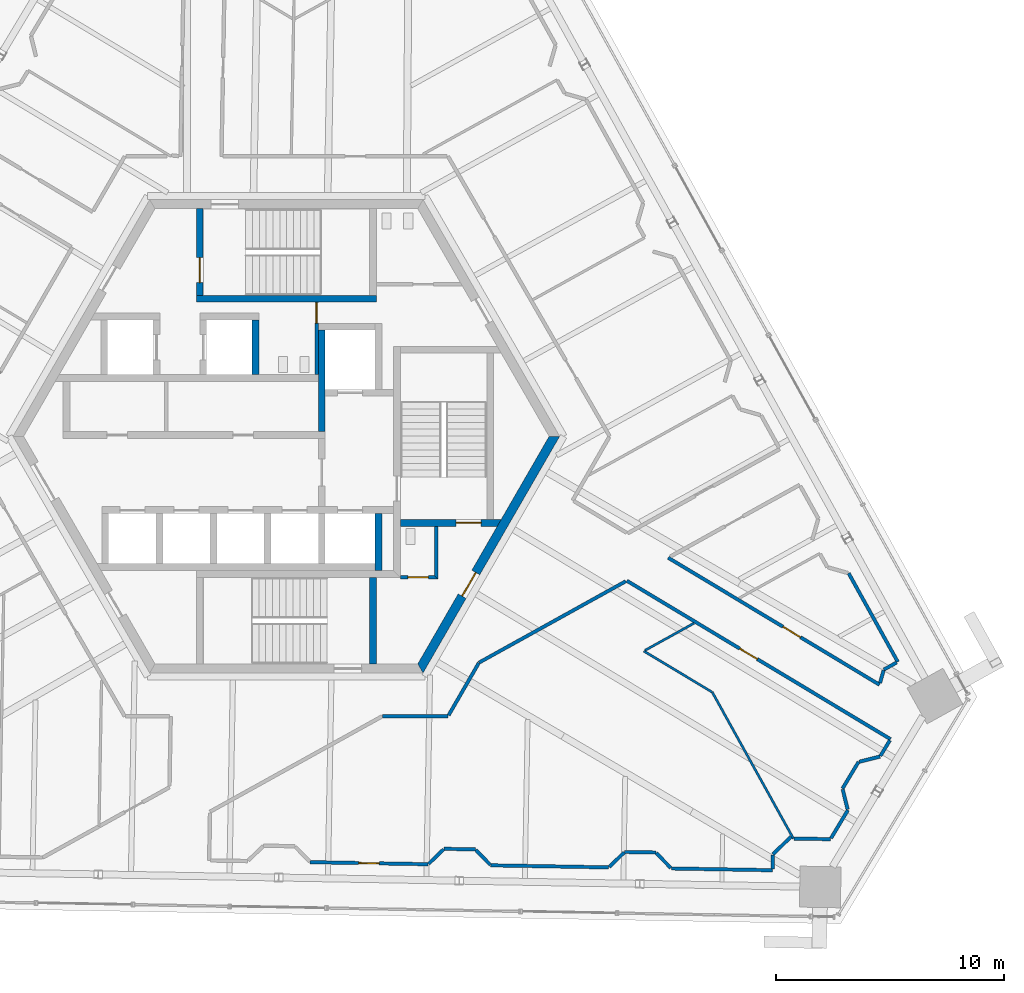
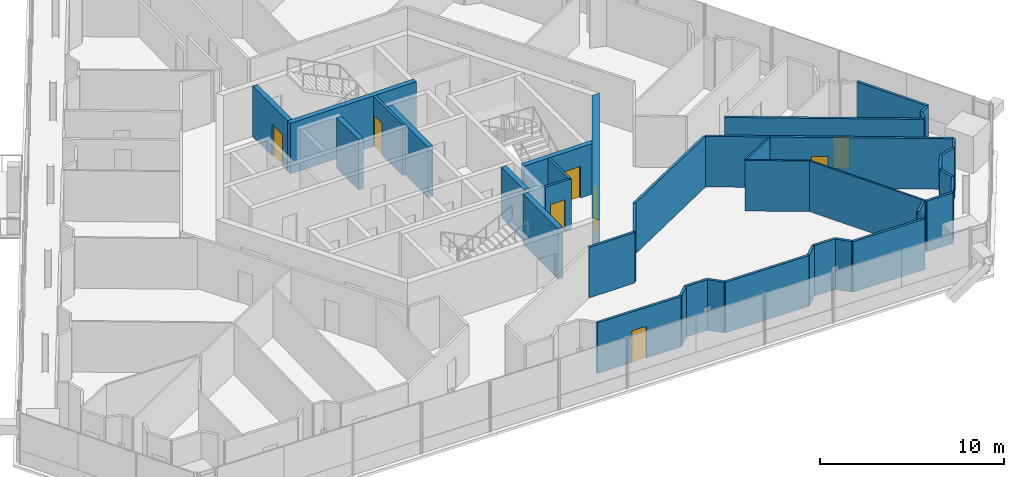
# One storey, part 17 of 24: 39 walls, 8 doors, 8 openings.
"""IFC4 building model written with IfcOpenShell, lengths in metres."""

from ifc_helpers import new_model, si_unit, direction, frame, frame_2d, origin, place, context, subcontext, project, spatial, polyline, rectangle, outline, extrude, source, transform, mapped, material, layer, layer_set, type_object, element, fill, save


model = new_model("IFC4")

# Units and contexts
model_context = context("Model", 3, precision=1e-05, world=origin(), true_north=direction((0.0, 1.0)))
body_context = subcontext(model_context, "Body", "Model", "MODEL_VIEW")
ifc_project = project(units=[si_unit("LENGTHUNIT", "METRE"), si_unit("AREAUNIT", "SQUARE_METRE"), si_unit("VOLUMEUNIT", "CUBIC_METRE"), si_unit("PLANEANGLEUNIT", "RADIAN"), si_unit("MASSUNIT", "GRAM", prefix="KILO")], contexts=[model_context])

# Site, building, storey
site_placement = place(None, origin())
site = spatial("IfcSite", under=ifc_project, at=site_placement, CompositionType="ELEMENT")
building_placement = place(site_placement, origin())
building = spatial("IfcBuilding", under=site, at=building_placement, Name="Triune Harvest Tower", CompositionType="ELEMENT")
storey_placement = place(building_placement, frame((0.0, 0.0, 212.300048828125)))
storey = spatial("IfcBuildingStorey", under=building, at=storey_placement, Name="L55", CompositionType="ELEMENT", Elevation=212.300048828125)

# Wall, opening, door
ifc_material_1 = material(Name="Gypsum board on steel studs", Category="steel")
ifc_layer_1 = layer(ifc_material_1, 0.14990234375)
ifc_layer_set_1 = layer_set([ifc_layer_1], Name="Gypsum board on steel studs")
wall_type_1 = type_object("IfcWallType", Name="Fire Partition 150 mm", PredefinedType="PARTITIONING", material=ifc_layer_set_1)
wall_1_placement = place(storey_placement, frame((14.9462890625, -6.33984375, 0.0), z_axis=(0.0, 0.0, 1.0), x_axis=(0.857167432982, -0.51503785476, 0.0)))
wall_1 = element("IfcWall", 1, at=wall_1_placement, inside=storey, type_object=wall_type_1, Name="Partition L55 040", PredefinedType="PARTITIONING", context=body_context, shape_type="SweptSolid", body=[
    extrude(rectangle(XDim=13.50830078125, YDim=0.14990234375, at=frame_2d((6.754150390625, 0.0))), origin(), (0.0, 0.0, 1.0), 3.349853515625),
])
opening_1_placement = place(wall_1_placement, frame((5.78759765625, 0.0, 0.0)))
opening_1 = element("IfcOpeningElement", 2, at=opening_1_placement, cuts=wall_1, Name="Opening L55-026", PredefinedType="OPENING", context=body_context, shape_type="SweptSolid", body=[
    extrude(rectangle(XDim=0.89990234375, YDim=2.10009765625, at=frame_2d((0.449951171875, 1.050048828125))), frame((0.0, 0.0849609375, 0.0), z_axis=(0.0, -1.0, 0.0), x_axis=(1.0, 0.0, 0.0)), (0.0, 0.0, 1.0), 0.169921875),
])
ifc_material_2 = material(Name="Timber and steel door set", Category="steel")
door_type_1 = type_object("IfcDoorType", Name="Single leaf door FD30 right hand 900 x 2100", OperationType="SINGLE_SWING_RIGHT", PredefinedType="DOOR", material=ifc_material_2)
door_1_placement = place(opening_1_placement, origin())
door_1 = element("IfcDoor", 3, at=door_1_placement, inside=storey, type_object=door_type_1, Name="Door L55-026 Pantry 55.26", OperationType="SINGLE_SWING_RIGHT", OverallHeight=2.10009765625, OverallWidth=0.89990234375, PredefinedType="DOOR", context=body_context, shape_type="SweptSolid", body=[
    extrude(rectangle(XDim=0.89990234375, YDim=2.10009765625, at=frame_2d((0.449951171875, 1.050048828125))), frame((0.0, 0.02490234375, 0.0), z_axis=(0.0, -1.0, 0.0), x_axis=(1.0, 0.0, 0.0)), (0.0, 0.0, 1.0), 0.050048828125),
])
fill(opening_1, door_1)

wall_2_placement = place(storey_placement, frame((16.763916015625, -5.33203125, 0.0), z_axis=(0.0, 0.0, 1.0), x_axis=(0.857158364439, -0.515052947057, 0.0)))
wall_2 = element("IfcWall", 4, at=wall_2_placement, inside=storey, type_object=wall_type_1, Name="Partition L55 043", PredefinedType="PARTITIONING", context=body_context, shape_type="SweptSolid", body=[
    extrude(rectangle(XDim=10.822998046875, YDim=0.14990234375, at=frame_2d((5.41162109375, 0.0))), origin(), (0.0, 0.0, 1.0), 3.349853515625),
])
opening_2_placement = place(wall_2_placement, frame((5.879638671875, 0.0, 0.0)))
opening_2 = element("IfcOpeningElement", 5, at=opening_2_placement, cuts=wall_2, Name="Opening L55-001", PredefinedType="OPENING", context=body_context, shape_type="SweptSolid", body=[
    extrude(rectangle(XDim=0.89990234375, YDim=2.10009765625, at=frame_2d((0.449951171875, 1.050048828125))), frame((0.0, 0.0849609375, 0.0), z_axis=(0.0, -1.0, 0.0), x_axis=(1.0, 0.0, 0.0)), (0.0, 0.0, 1.0), 0.169921875),
])
door_2_placement = place(opening_2_placement, origin())
door_2 = element("IfcDoor", 6, at=door_2_placement, inside=storey, type_object=door_type_1, Name="Door L55-001 Office 55.01", OperationType="SINGLE_SWING_RIGHT", OverallHeight=2.10009765625, OverallWidth=0.89990234375, PredefinedType="DOOR", context=body_context, shape_type="SweptSolid", body=[
    extrude(rectangle(XDim=0.89990234375, YDim=2.10009765625, at=frame_2d((0.449951171875, 1.050048828125))), frame((0.0, 0.02490234375, 0.0), z_axis=(0.0, -1.0, 0.0), x_axis=(1.0, 0.0, 0.0)), (0.0, 0.0, 1.0), 0.050048828125),
])
fill(opening_2, door_2)

# Walls
wall_3_placement = place(storey_placement, frame((22.281982421875, -17.66064453125, 0.0), z_axis=(0.0, 0.0, 1.0), x_axis=(0.999846983336, -0.017493139066, 0.0)))
element("IfcWall", 7, at=wall_3_placement, inside=storey, type_object=wall_type_1, Name="Partition L55 066", PredefinedType="PARTITIONING", context=body_context, shape_type="SweptSolid", body=[
    extrude(rectangle(XDim=1.60498046875, YDim=0.14990234375, at=frame_2d((0.802490234375, 0.0))), origin(), (0.0, 0.0, 1.0), 3.349853515625),
])
wall_4_placement = place(storey_placement, frame((4.227294921875, -12.292236328125, 0.0), z_axis=(0.0, 0.0, 1.0), x_axis=(1.0, 0.0, 0.0)))
element("IfcWall", 8, at=wall_4_placement, inside=storey, type_object=wall_type_1, Name="Partition L55 072", PredefinedType="PARTITIONING", context=body_context, shape_type="SweptSolid", body=[
    extrude(rectangle(XDim=2.86962890625, YDim=0.14990234375, at=frame_2d((1.434814453125, 0.0))), origin(), (0.0, 0.0, 1.0), 3.349853515625),
])
wall_5_placement = place(storey_placement, frame((26.231201171875, -10.243896484375, 0.0), z_axis=(0.0, 0.0, 1.0), x_axis=(0.874659729009, 0.484737411854, 0.0)))
element("IfcWall", 9, at=wall_5_placement, inside=storey, type_object=wall_type_1, Name="Partition L55 081", PredefinedType="PARTITIONING", context=body_context, shape_type="SweptSolid", body=[
    extrude(rectangle(XDim=0.64111328125, YDim=0.14990234375, at=frame_2d((0.320556640625, 0.0))), origin(), (0.0, 0.0, 1.0), 3.349853515625),
])
wall_6_placement = place(storey_placement, frame((8.456787109375, -9.936767578125, 0.0), z_axis=(0.0, 0.0, 1.0), x_axis=(0.874617847029, 0.484812975959, 0.0)))
element("IfcWall", 10, at=wall_6_placement, inside=storey, type_object=wall_type_1, Name="Partition L55 085", PredefinedType="PARTITIONING", context=body_context, shape_type="SweptSolid", body=[
    extrude(rectangle(XDim=7.369873046875, YDim=0.14990234375, at=frame_2d((3.68505859375, 0.0))), origin(), (0.0, 0.0, 1.0), 3.349853515625),
])
wall_7_placement = place(storey_placement, frame((21.359619140625, -18.351318359375, 0.0), z_axis=(0.0, 0.0, 1.0), x_axis=(0.71939389991, 0.694602344347, 0.0)))
element("IfcWall", 11, at=wall_7_placement, inside=storey, type_object=wall_type_1, Name="Partition L55 096", PredefinedType="PARTITIONING", context=body_context, shape_type="SweptSolid", body=[
    extrude(rectangle(XDim=1.11279296875, YDim=0.14990234375, at=frame_2d((0.556396484375, 0.0))), origin(), (0.0, 0.0, 1.0), 3.349853515625),
])
wall_8_placement = place(storey_placement, frame((23.91162109375, -17.64697265625, 0.0), z_axis=(0.0, 0.0, 1.0), x_axis=(0.514970243734, 0.857208054132, 0.0)))
element("IfcWall", 12, at=wall_8_placement, inside=storey, type_object=wall_type_1, Name="Partition L55 102", PredefinedType="PARTITIONING", context=body_context, shape_type="SweptSolid", body=[
    extrude(rectangle(XDim=1.4375, YDim=0.14990234375, at=frame_2d((0.71875, 0.0))), origin(), (0.0, 0.0, 1.0), 3.349853515625),
])
wall_9_placement = place(storey_placement, frame((24.41650390625, -15.469482421875, 0.0), z_axis=(0.0, 0.0, 1.0), x_axis=(0.514993921206, 0.857193829376, 0.0)))
element("IfcWall", 13, at=wall_9_placement, inside=storey, type_object=wall_type_1, Name="Partition L55 104", PredefinedType="PARTITIONING", context=body_context, shape_type="SweptSolid", body=[
    extrude(rectangle(XDim=1.369140625, YDim=0.14990234375, at=frame_2d((0.6845703125, 0.0))), origin(), (0.0, 0.0, 1.0), 3.349853515625),
])
wall_10_placement = place(storey_placement, frame((7.122314453125, -12.2490234375, 0.0), z_axis=(0.0, 0.0, 1.0), x_axis=(0.499924502886, 0.866068987676, 0.0)))
element("IfcWall", 14, at=wall_10_placement, inside=storey, type_object=wall_type_1, Name="Partition L55 121", PredefinedType="PARTITIONING", context=body_context, shape_type="SweptSolid", body=[
    extrude(rectangle(XDim=2.64990234375, YDim=0.14990234375, at=frame_2d((1.324951171875, 0.0))), origin(), (0.0, 0.0, 1.0), 3.349853515625),
])
wall_11_placement = place(storey_placement, frame((26.063232421875, -10.829345703125, 0.0), z_axis=(0.0, 0.0, 1.0), x_axis=(0.275723261576, 0.961237058704, 0.0)))
element("IfcWall", 15, at=wall_11_placement, inside=storey, type_object=wall_type_1, Name="Partition L55 125", PredefinedType="PARTITIONING", context=body_context, shape_type="SweptSolid", body=[
    extrude(rectangle(XDim=0.5791015625, YDim=0.14990234375, at=frame_2d((0.28955078125, 0.0))), origin(), (0.0, 0.0, 1.0), 3.349853515625),
])
wall_12_placement = place(storey_placement, frame((21.348388671875, -18.99267578125, 0.0), z_axis=(0.0, 0.0, 1.0), x_axis=(0.017569172767, 0.999845650172, 0.0)))
element("IfcWall", 16, at=wall_12_placement, inside=storey, type_object=wall_type_1, Name="Partition L55 132", PredefinedType="PARTITIONING", context=body_context, shape_type="SweptSolid", body=[
    extrude(rectangle(XDim=0.611328125, YDim=0.14990234375, at=frame_2d((0.3056640625, 0.0))), origin(), (0.0, 0.0, 1.0), 3.349853515625),
])
ifc_material_3 = material(Name="Gypsum board on steel studs", Category="steel")
ifc_layer_2 = layer(ifc_material_3, 0.10009765625)
ifc_layer_set_2 = layer_set([ifc_layer_2], Name="Gypsum board on steel studs")
wall_type_2 = type_object("IfcWallType", Name="Partition 100 mm", PredefinedType="PARTITIONING", material=ifc_layer_set_2)
wall_13_placement = place(storey_placement, frame((18.7001953125, -11.236572265625, 0.0), z_axis=(0.0, 0.0, 1.0), x_axis=(0.484804611814, -0.87462248334, 0.0)))
element("IfcWall", 17, at=wall_13_placement, inside=storey, type_object=wall_type_2, Name="Partition L55 012", PredefinedType="PARTITIONING", context=body_context, shape_type="SweptSolid", body=[
    extrude(rectangle(XDim=7.345703125, YDim=0.10009765625, at=frame_2d((3.6728515625, 0.0))), origin(), (0.0, 0.0, 1.0), 3.349853515625),
])
wall_14_placement = place(storey_placement, frame((15.6923828125, -9.428955078125, 0.0), z_axis=(0.0, 0.0, 1.0), x_axis=(0.857154138578, -0.51505997973, 0.0)))
element("IfcWall", 18, at=wall_14_placement, inside=storey, type_object=wall_type_2, Name="Partition L55 038", PredefinedType="PARTITIONING", context=body_context, shape_type="SweptSolid", body=[
    extrude(rectangle(XDim=3.4990234375, YDim=0.10009765625, at=frame_2d((1.74951171875, 0.0))), origin(), (0.0, 0.0, 1.0), 3.349853515625),
])
wall_15_placement = place(storey_placement, frame((15.753662109375, -9.39501953125, 0.0), z_axis=(0.0, 0.0, 1.0), x_axis=(0.874593403118, 0.484857070921, 0.0)))
element("IfcWall", 19, at=wall_15_placement, inside=storey, type_object=wall_type_2, Name="Partition L55 082", PredefinedType="PARTITIONING", context=body_context, shape_type="SweptSolid", body=[
    extrude(rectangle(XDim=2.45361328125, YDim=0.10009765625, at=frame_2d((1.226806640625, 0.0))), origin(), (0.0, 0.0, 1.0), 3.349853515625),
])

# Wall, opening, door
ifc_material_4 = material(Name="Concrete 70 MPa", Category="concrete")
ifc_layer_3 = layer(ifc_material_4, 0.39990234375)
ifc_layer_set_3 = layer_set([ifc_layer_3], Name="Concrete 70 MPa")
wall_type_3 = type_object("IfcWallType", Name="Core wall 400", PredefinedType="SHEAR", material=ifc_layer_set_3)
shared_shape_1 = source(origin(), body_context, "Body", "SweptSolid", [
    extrude(outline(polyline([(-0.115478515625, -0.199951171875), (11.884521484375, -0.199951171875), (11.653564453125, 0.199951171875), (0.115478515625, 0.199951171875), (-0.115478515625, -0.199951171875)])), origin(), (0.0, 0.0, 1.0), 3.349853515625),
])
wall_16_placement = place(storey_placement, frame((5.884521484375, -10.1923828125, 0.0), z_axis=(0.0, 0.0, 1.0), x_axis=(0.499996592174, 0.866027371285, 0.0)))
wall_16 = element("IfcWall", 20, at=wall_16_placement, inside=storey, type_object=wall_type_3, Name="Hexagon 5 wall", PredefinedType="SHEAR", context=body_context, shape_type="MappedRepresentation", body=[
    mapped(shared_shape_1, transform((0.0, 0.0, 0.0), scale=1.0)),
])
opening_3_placement = place(wall_16_placement, frame((3.66455078125, 0.0, 0.0)))
opening_3 = element("IfcOpeningElement", 21, at=opening_3_placement, cuts=wall_16, Name="Opening CD-DP", PredefinedType="OPENING", context=body_context, shape_type="SweptSolid", body=[
    extrude(rectangle(XDim=1.199951171875, YDim=2.10009765625, at=frame_2d((0.60009765625, 1.050048828125))), frame((0.0, 0.2099609375, 0.0), z_axis=(0.0, -1.0, 0.0), x_axis=(1.0, 0.0, 0.0)), (0.0, 0.0, 1.0), 0.419921875),
])
ifc_material_5 = material(Name="Steel S235", Category="steel")
door_type_2 = type_object("IfcDoorType", Name="Stair door 1200 FD120", OperationType="SINGLE_SWING_LEFT", PredefinedType="DOOR", material=ifc_material_5)
door_3_placement = place(opening_3_placement, frame((1.199951171875, 0.0, 0.0), z_axis=(0.0, 0.0, 1.0), x_axis=(-1.0, 0.0, 0.0)))
door_3 = element("IfcDoor", 22, at=door_3_placement, inside=storey, type_object=door_type_2, Name="Door CD-DP", OperationType="SINGLE_SWING_RIGHT", OverallHeight=2.10009765625, OverallWidth=1.199951171875, PredefinedType="DOOR", context=body_context, shape_type="SweptSolid", body=[
    extrude(rectangle(XDim=1.199951171875, YDim=2.10009765625, at=frame_2d((0.60009765625, 1.050048828125))), frame((0.0, 0.02490234375, 0.0), z_axis=(0.0, -1.0, 0.0), x_axis=(1.0, 0.0, 0.0)), (0.0, 0.0, 1.0), 0.050048828125),
])
fill(opening_3, door_3)

# Walls
ifc_material_6 = material(Name="Concrete 70 MPa", Category="concrete")
ifc_layer_4 = layer(ifc_material_6, 0.300048828125)
ifc_layer_set_4 = layer_set([ifc_layer_4], Name="Concrete 70 MPa")
wall_type_4 = type_object("IfcWallType", Name="Core wall 300", PredefinedType="SHEAR", material=ifc_layer_set_4)
shared_shape_2 = source(origin(), body_context, "Body", "SweptSolid", [
    extrude(rectangle(XDim=2.5, YDim=0.300048828125, at=frame_2d((1.25, 0.0))), origin(), (0.0, 0.0, 1.0), 3.349853515625),
])
wall_17_placement = place(storey_placement, frame((4.050048828125, -5.889892578125, 0.0), z_axis=(0.0, 0.0, 1.0), x_axis=(0.0, 1.0, 0.0)))
element("IfcWall", 23, at=wall_17_placement, inside=storey, type_object=wall_type_4, Name="Ff2 east wall", PredefinedType="SHEAR", context=body_context, shape_type="MappedRepresentation", body=[
    mapped(shared_shape_2, transform((0.0, 0.0, 0.0), scale=1.0)),
])
shared_shape_3 = source(origin(), body_context, "Body", "SweptSolid", [
    extrude(rectangle(XDim=4.449951171875, YDim=0.300048828125, at=frame_2d((2.22509765625, 0.0))), origin(), (0.0, 0.0, 1.0), 3.349853515625),
])
wall_18_placement = place(storey_placement, frame((1.550048828125, 0.2099609375, 0.0), z_axis=(0.0, 0.0, 1.0), x_axis=(0.0, 1.0, 0.0)))
element("IfcWall", 24, at=wall_18_placement, inside=storey, type_object=wall_type_4, Name="Ff1 west wall", PredefinedType="SHEAR", context=body_context, shape_type="MappedRepresentation", body=[
    mapped(shared_shape_3, transform((0.0, 0.0, 0.0), scale=1.0)),
])

# Wall, opening, door
shared_shape_4 = source(origin(), body_context, "Body", "SweptSolid", [
    extrude(outline(polyline([(0.0, -0.14990234375), (0.0, 0.14990234375), (4.43310546875, 0.14990234375), (4.260009765625, -0.14990234375), (0.0, -0.14990234375)])), origin(), (0.0, 0.0, 1.0), 3.349853515625),
])
wall_19_placement = place(storey_placement, frame((5.0, -3.800048828125, 0.0), z_axis=(0.0, 0.0, 1.0), x_axis=(1.0, 0.0, 0.0)))
wall_19 = element("IfcWall", 25, at=wall_19_placement, inside=storey, type_object=wall_type_4, Name="Stair e south wall", PredefinedType="SHEAR", context=body_context, shape_type="MappedRepresentation", body=[
    mapped(shared_shape_4, transform((0.0, 0.0, 0.0), scale=1.0)),
])
opening_4_placement = place(wall_19_placement, frame((2.449951171875, 0.0, 0.0)))
opening_4 = element("IfcOpeningElement", 26, at=opening_4_placement, cuts=wall_19, Name="Opening CD-S3D", PredefinedType="OPENING", context=body_context, shape_type="SweptSolid", body=[
    extrude(rectangle(XDim=1.10009765625, YDim=2.10009765625, at=frame_2d((0.550048828125, 1.050048828125))), frame((0.0, 0.16015625, 0.0), z_axis=(0.0, -1.0, 0.0), x_axis=(1.0, 0.0, 0.0)), (0.0, 0.0, 1.0), 0.320068359375),
])
ifc_material_7 = material(Name="Steel S235", Category="steel")
door_type_3 = type_object("IfcDoorType", Name="Stair door 1100 FD120", OperationType="SINGLE_SWING_LEFT", PredefinedType="DOOR", material=ifc_material_7)
door_4_placement = place(opening_4_placement, frame((1.10009765625, 0.0, 0.0), z_axis=(0.0, 0.0, 1.0), x_axis=(-1.0, 0.0, 0.0)))
door_4 = element("IfcDoor", 27, at=door_4_placement, inside=storey, type_object=door_type_3, Name="Door CD-S3D", OperationType="SINGLE_SWING_RIGHT", OverallHeight=2.10009765625, OverallWidth=1.10009765625, PredefinedType="DOOR", context=body_context, shape_type="SweptSolid", body=[
    extrude(rectangle(XDim=1.10009765625, YDim=2.10009765625, at=frame_2d((0.550048828125, 1.050048828125))), frame((0.0, 0.02490234375, 0.0), z_axis=(0.0, -1.0, 0.0), x_axis=(1.0, 0.0, 0.0)), (0.0, 0.0, 1.0), 0.050048828125),
])
fill(opening_4, door_4)

# Wall
shared_shape_5 = source(origin(), body_context, "Body", "SweptSolid", [
    extrude(rectangle(XDim=7.89990234375, YDim=0.300048828125, at=frame_2d((3.949951171875, 0.0))), origin(), (0.0, 0.0, 1.0), 3.349853515625),
])
wall_20_placement = place(storey_placement, frame((-3.949951171875, 6.0400390625, 0.0), z_axis=(0.0, 0.0, 1.0), x_axis=(1.0, 0.0, 0.0)))
element("IfcWall", 28, at=wall_20_placement, inside=storey, type_object=wall_type_4, Name="Stair n south wall", PredefinedType="SHEAR", context=body_context, shape_type="MappedRepresentation", body=[
    mapped(shared_shape_5, transform((0.0, 0.0, 0.0), scale=1.0)),
])

# Wall, opening, door
shared_shape_6 = source(origin(), body_context, "Body", "SweptSolid", [
    extrude(outline(polyline([(0.0, -0.14990234375), (0.0, 0.14990234375), (3.80419921875, 0.14990234375), (3.80419921875, -0.14990234375), (0.0, -0.14990234375)])), origin(), (0.0, 0.0, 1.0), 3.349853515625),
])
wall_21_placement = place(storey_placement, frame((-3.800048828125, 6.18994140625, 0.0), z_axis=(0.0, 0.0, 1.0), x_axis=(0.0, 1.0, 0.0)))
wall_21 = element("IfcWall", 29, at=wall_21_placement, inside=storey, type_object=wall_type_4, Name="Stair n west wall", PredefinedType="SHEAR", context=body_context, shape_type="MappedRepresentation", body=[
    mapped(shared_shape_6, transform((0.0, 0.0, 0.0), scale=1.0)),
])
opening_5_placement = place(wall_21_placement, frame((0.56005859375, 0.0, 0.0)))
opening_5 = element("IfcOpeningElement", 30, at=opening_5_placement, cuts=wall_21, Name="Opening CD-S1L", PredefinedType="OPENING", context=body_context, shape_type="SweptSolid", body=[
    extrude(rectangle(XDim=1.10009765625, YDim=2.10009765625, at=frame_2d((0.550048828125, 1.050048828125))), frame((0.0, 0.16015625, 0.0), z_axis=(0.0, -1.0, 0.0), x_axis=(1.0, 0.0, 0.0)), (0.0, 0.0, 1.0), 0.320068359375),
])
door_5_placement = place(opening_5_placement, frame((1.10009765625, 0.0, 0.0), z_axis=(0.0, 0.0, 1.0), x_axis=(-1.0, 0.0, 0.0)))
door_5 = element("IfcDoor", 31, at=door_5_placement, inside=storey, type_object=door_type_3, Name="Door CD-S1L", OperationType="SINGLE_SWING_RIGHT", OverallHeight=2.10009765625, OverallWidth=1.10009765625, PredefinedType="DOOR", context=body_context, shape_type="SweptSolid", body=[
    extrude(rectangle(XDim=1.10009765625, YDim=2.10009765625, at=frame_2d((0.550048828125, 1.050048828125))), frame((0.0, 0.02490234375, 0.0), z_axis=(0.0, -1.0, 0.0), x_axis=(1.0, 0.0, 0.0)), (0.0, 0.0, 1.0), 0.050048828125),
])
fill(opening_5, door_5)

# Walls
shared_shape_7 = source(origin(), body_context, "Body", "SweptSolid", [
    extrude(outline(polyline([(3.800048828125, -0.14990234375), (-0.00439453125, -0.14990234375), (-0.00439453125, 0.14990234375), (3.800048828125, 0.14990234375), (3.800048828125, -0.14990234375)])), origin(), (0.0, 0.0, 1.0), 3.349853515625),
])
wall_22_placement = place(storey_placement, frame((3.800048828125, -9.989990234375, 0.0), z_axis=(0.0, 0.0, 1.0), x_axis=(0.0, 1.0, 0.0)))
element("IfcWall", 32, at=wall_22_placement, inside=storey, type_object=wall_type_4, Name="Stair s east wall", PredefinedType="SHEAR", context=body_context, shape_type="MappedRepresentation", body=[
    mapped(shared_shape_7, transform((0.0, 0.0, 0.0), scale=1.0)),
])
shared_shape_8 = source(origin(), body_context, "Body", "SweptSolid", [
    extrude(rectangle(XDim=2.400146484375, YDim=0.300048828125, at=frame_2d((1.2001953125, 0.0))), origin(), (0.0, 0.0, 1.0), 3.349853515625),
])
wall_23_placement = place(storey_placement, frame((-1.35009765625, 2.7099609375, 0.0), z_axis=(0.0, 0.0, 1.0), x_axis=(0.0, 1.0, 0.0)))
element("IfcWall", 33, at=wall_23_placement, inside=storey, type_object=wall_type_4, Name="Sv2 east wall", PredefinedType="SHEAR", context=body_context, shape_type="MappedRepresentation", body=[
    mapped(shared_shape_8, transform((0.0, 0.0, 0.0), scale=1.0)),
])

# Wall, opening, door
ifc_material_8 = material(Name="Concrete masonry unit", Category="masonry")
ifc_layer_5 = layer(ifc_material_8, 0.14990234375)
ifc_layer_set_5 = layer_set([ifc_layer_5], Name="Concrete masonry unit")
wall_type_5 = type_object("IfcWallType", Name="Block partition 150 unrated", PredefinedType="PARTITIONING", material=ifc_layer_set_5)
shared_shape_9 = source(origin(), body_context, "Body", "SweptSolid", [
    extrude(rectangle(XDim=3.179931640625, YDim=0.14990234375, at=frame_2d((1.58984375, 0.0))), origin(), (0.0, 0.0, 1.0), 3.349853515625),
])
wall_24_placement = place(storey_placement, frame((1.324951171875, 2.7099609375, 0.0), z_axis=(0.0, 0.0, 1.0), x_axis=(0.0, 1.0, 0.0)))
wall_24 = element("IfcWall", 34, at=wall_24_placement, inside=storey, type_object=wall_type_5, Name="Wc men east wall", PredefinedType="PARTITIONING", context=body_context, shape_type="MappedRepresentation", body=[
    mapped(shared_shape_9, transform((0.0, 0.0, 0.0), scale=1.0)),
])
opening_6_placement = place(wall_24_placement, frame((2.264892578125, 0.0, 0.0)))
opening_6 = element("IfcOpeningElement", 35, at=opening_6_placement, cuts=wall_24, Name="Opening CD-WM", PredefinedType="OPENING", context=body_context, shape_type="SweptSolid", body=[
    extrude(rectangle(XDim=0.89990234375, YDim=2.10009765625, at=frame_2d((0.449951171875, 1.050048828125))), frame((0.0, 0.0849609375, 0.0), z_axis=(0.0, -1.0, 0.0), x_axis=(1.0, 0.0, 0.0)), (0.0, 0.0, 1.0), 0.169921875),
])
ifc_material_9 = material(Name="Timber C24", Category="wood")
door_type_4 = type_object("IfcDoorType", Name="WC door 900", OperationType="SINGLE_SWING_LEFT", PredefinedType="DOOR", material=ifc_material_9)
door_6_placement = place(opening_6_placement, origin())
door_6 = element("IfcDoor", 36, at=door_6_placement, inside=storey, type_object=door_type_4, Name="Door CD-WM", OperationType="SINGLE_SWING_LEFT", OverallHeight=2.10009765625, OverallWidth=0.89990234375, PredefinedType="DOOR", context=body_context, shape_type="SweptSolid", body=[
    extrude(rectangle(XDim=0.89990234375, YDim=2.10009765625, at=frame_2d((0.449951171875, 1.050048828125))), frame((0.0, 0.02490234375, 0.0), z_axis=(0.0, -1.0, 0.0), x_axis=(1.0, 0.0, 0.0)), (0.0, 0.0, 1.0), 0.050048828125),
])
fill(opening_6, door_6)

shared_shape_10 = source(origin(), body_context, "Body", "SweptSolid", [
    extrude(outline(polyline([(0.0, -0.074951171875), (1.64990234375, -0.074951171875), (1.5, 0.074951171875), (0.0, 0.074951171875), (0.0, -0.074951171875)])), origin(), (0.0, 0.0, 1.0), 3.349853515625),
])
wall_25_placement = place(storey_placement, frame((5.0, -6.18994140625, 0.0), z_axis=(0.0, 0.0, 1.0), x_axis=(1.0, 0.0, 0.0)))
wall_25 = element("IfcWall", 37, at=wall_25_placement, inside=storey, type_object=wall_type_5, Name="Wc acc south wall", PredefinedType="PARTITIONING", context=body_context, shape_type="MappedRepresentation", body=[
    mapped(shared_shape_10, transform((0.0, 0.0, 0.0), scale=1.0)),
])
opening_7_placement = place(wall_25_placement, frame((0.33740234375, 0.0, 0.0)))
opening_7 = element("IfcOpeningElement", 38, at=opening_7_placement, cuts=wall_25, Name="Opening CD-WA", PredefinedType="OPENING", context=body_context, shape_type="SweptSolid", body=[
    extrude(rectangle(XDim=0.89990234375, YDim=2.10009765625, at=frame_2d((0.449951171875, 1.050048828125))), frame((0.0, 0.0849609375, 0.0), z_axis=(0.0, -1.0, 0.0), x_axis=(1.0, 0.0, 0.0)), (0.0, 0.0, 1.0), 0.169921875),
])
door_7_placement = place(opening_7_placement, origin())
door_7 = element("IfcDoor", 39, at=door_7_placement, inside=storey, type_object=door_type_4, Name="Door CD-WA", OperationType="SINGLE_SWING_LEFT", OverallHeight=2.10009765625, OverallWidth=0.89990234375, PredefinedType="DOOR", context=body_context, shape_type="SweptSolid", body=[
    extrude(rectangle(XDim=0.89990234375, YDim=2.10009765625, at=frame_2d((0.449951171875, 1.050048828125))), frame((0.0, 0.02490234375, 0.0), z_axis=(0.0, -1.0, 0.0), x_axis=(1.0, 0.0, 0.0)), (0.0, 0.0, 1.0), 0.050048828125),
])
fill(opening_7, door_7)

# Walls
shared_shape_11 = source(origin(), body_context, "Body", "SweptSolid", [
    extrude(outline(polyline([(-0.074951171875, -0.074951171875), (2.239990234375, -0.074951171875), (2.239990234375, 0.074951171875), (0.074951171875, 0.074951171875), (-0.074951171875, -0.074951171875)])), origin(), (0.0, 0.0, 1.0), 3.349853515625),
])
wall_26_placement = place(storey_placement, frame((6.574951171875, -6.18994140625, 0.0), z_axis=(0.0, 0.0, 1.0), x_axis=(0.0, 1.0, 0.0)))
element("IfcWall", 40, at=wall_26_placement, inside=storey, type_object=wall_type_5, Name="Wc acc east wall", PredefinedType="PARTITIONING", context=body_context, shape_type="MappedRepresentation", body=[
    mapped(shared_shape_11, transform((0.0, 0.0, 0.0), scale=1.0)),
])
shared_shape_12 = source(origin(), body_context, "Body", "SweptSolid", [
    extrude(rectangle(XDim=0.9140625, YDim=0.14990234375, at=frame_2d((0.45703125, 0.0))), origin(), (0.0, 0.0, 1.0), 3.349853515625),
])
for number, where, z_axis, x_axis, name in (
    (41, (24.423828125, -15.49853515625, 0.0), (0.0, 0.0, 1.0), (0.241718550758, -0.970346403208, 0.0), "Partition L55 007"),
    (42, (8.3173828125, -18.157470703125, 0.0), (0.0, 0.0, 1.0), (0.694713669559, -0.719286394511, 0.0), "Partition L55 031"),
    (43, (16.243408203125, -18.2958984375, 0.0), (0.0, 0.0, 1.0), (0.694713669559, -0.719286394511, 0.0), "Partition L55 032"),
    (44, (14.174560546875, -18.90625, 0.0), (0.0, 0.0, 1.0), (0.719286394511, 0.694713669559, 0.0), "Partition L55 097"),
    (45, (6.24853515625, -18.767822265625, 0.0), (0.0, 0.0, 1.0), (0.719286394511, 0.694713669559, 0.0), "Partition L55 098"),
):
    element("IfcWall", number, at=place(storey_placement, frame(where, z_axis=z_axis, x_axis=x_axis)), inside=storey, type_object=wall_type_1, Name=name, PredefinedType="PARTITIONING", context=body_context, shape_type="MappedRepresentation", body=[
        mapped(shared_shape_12, transform((0.0, 0.0, 0.0), scale=1.0)),
    ])
shared_shape_13 = source(origin(), body_context, "Body", "SweptSolid", [
    extrude(rectangle(XDim=0.944091796875, YDim=0.14990234375, at=frame_2d((0.47216796875, 0.0))), origin(), (0.0, 0.0, 1.0), 3.349853515625),
])
wall_27_placement = place(storey_placement, frame((25.150634765625, -14.288818359375, 0.0), z_axis=(0.0, 0.0, 1.0), x_axis=(0.970264071749, 0.242048819605, 0.0)))
element("IfcWall", 46, at=wall_27_placement, inside=storey, type_object=wall_type_1, Name="Partition L55 075", PredefinedType="PARTITIONING", context=body_context, shape_type="MappedRepresentation", body=[
    mapped(shared_shape_13, transform((0.0, 0.0, 0.0), scale=1.0)),
])
shared_shape_14 = source(origin(), body_context, "Body", "SweptSolid", [
    extrude(rectangle(XDim=5.180419921875, YDim=0.14990234375, at=frame_2d((2.59033203125, 0.0))), origin(), (0.0, 0.0, 1.0), 3.349853515625),
])
wall_28_placement = place(storey_placement, frame((8.97314453125, -18.83642578125, 0.0), z_axis=(0.0, 0.0, 1.0), x_axis=(0.999847963667, -0.017437016712, 0.0)))
element("IfcWall", 47, at=wall_28_placement, inside=storey, type_object=wall_type_1, Name="Partition L55 059", PredefinedType="PARTITIONING", context=body_context, shape_type="MappedRepresentation", body=[
    mapped(shared_shape_14, transform((0.0, 0.0, 0.0), scale=1.0)),
])

# Wall, opening, door
shared_shape_15 = source(origin(), body_context, "Body", "SweptSolid", [
    extrude(rectangle(XDim=5.1806640625, YDim=0.14990234375, at=frame_2d((2.59033203125, 0.0))), origin(), (0.0, 0.0, 1.0), 3.349853515625),
])
wall_29_placement = place(storey_placement, frame((1.047119140625, -18.697998046875, 0.0), z_axis=(0.0, 0.0, 1.0), x_axis=(0.999847977995, -0.01743619512, 0.0)))
wall_29 = element("IfcWall", 48, at=wall_29_placement, inside=storey, type_object=wall_type_1, Name="Partition L55 058", PredefinedType="PARTITIONING", context=body_context, shape_type="MappedRepresentation", body=[
    mapped(shared_shape_15, transform((0.0, 0.0, 0.0), scale=1.0)),
])
opening_8_placement = place(wall_29_placement, frame((2.130859375, 0.0, 0.0)))
opening_8 = element("IfcOpeningElement", 49, at=opening_8_placement, cuts=wall_29, Name="Opening L55-025", PredefinedType="OPENING", context=body_context, shape_type="SweptSolid", body=[
    extrude(rectangle(XDim=0.89990234375, YDim=2.10009765625, at=frame_2d((0.449951171875, 1.050048828125))), frame((0.0, 0.0849609375, 0.0), z_axis=(0.0, -1.0, 0.0), x_axis=(1.0, 0.0, 0.0)), (0.0, 0.0, 1.0), 0.169921875),
])
ifc_material_10 = material(Name="Timber and steel door set", Category="steel")
door_type_5 = type_object("IfcDoorType", Name="Single leaf door FD30 left hand 900 x 2100", OperationType="SINGLE_SWING_LEFT", PredefinedType="DOOR", material=ifc_material_10)
door_8_placement = place(opening_8_placement, origin())
door_8 = element("IfcDoor", 50, at=door_8_placement, inside=storey, type_object=door_type_5, Name="Door L55-025 Open Office 55.25", OperationType="SINGLE_SWING_LEFT", OverallHeight=2.10009765625, OverallWidth=0.89990234375, PredefinedType="DOOR", context=body_context, shape_type="SweptSolid", body=[
    extrude(rectangle(XDim=0.89990234375, YDim=2.10009765625, at=frame_2d((0.449951171875, 1.050048828125))), frame((0.0, 0.02490234375, 0.0), z_axis=(0.0, -1.0, 0.0), x_axis=(1.0, 0.0, 0.0)), (0.0, 0.0, 1.0), 0.050048828125),
])
fill(opening_8, door_8)

# Walls
shared_shape_16 = source(origin(), body_context, "Body", "SweptSolid", [
    extrude(rectangle(XDim=4.448974609375, YDim=0.14990234375, at=frame_2d((2.224609375, 0.0))), origin(), (0.0, 0.0, 1.0), 3.349853515625),
])
for number, where, z_axis, x_axis, name in (
    (51, (24.6875, -6.012939453125, 0.0), (0.0, 0.0, 1.0), (0.484762102956, -0.874646044716, 0.0), "Partition L55 025"),
    (52, (16.8994140625, -18.974609375, 0.0), (0.0, 0.0, 1.0), (0.999847725111, -0.017450690263, 0.0), "Partition L55 060"),
):
    element("IfcWall", number, at=place(storey_placement, frame(where, z_axis=z_axis, x_axis=x_axis)), inside=storey, type_object=wall_type_1, Name=name, PredefinedType="PARTITIONING", context=body_context, shape_type="MappedRepresentation", body=[
        mapped(shared_shape_16, transform((0.0, 0.0, 0.0), scale=1.0)),
    ])
shared_shape_17 = source(origin(), body_context, "Body", "SweptSolid", [
    extrude(rectangle(XDim=1.368896484375, YDim=0.14990234375, at=frame_2d((0.6845703125, 0.0))), origin(), (0.0, 0.0, 1.0), 3.349853515625),
])
for number, where, z_axis, x_axis, name in (
    (53, (6.92724609375, -18.112060546875, 0.0), (0.0, 0.0, 1.0), (0.99984723761, -0.017478599587, 0.0), "Partition L55 063"),
    (54, (14.853271484375, -18.25, 0.0), (0.0, 0.0, 1.0), (0.99984723761, -0.017478599587, 0.0), "Partition L55 064"),
):
    element("IfcWall", number, at=place(storey_placement, frame(where, z_axis=z_axis, x_axis=x_axis)), inside=storey, type_object=wall_type_1, Name=name, PredefinedType="PARTITIONING", context=body_context, shape_type="MappedRepresentation", body=[
        mapped(shared_shape_17, transform((0.0, 0.0, 0.0), scale=1.0)),
    ])
shared_shape_18 = source(origin(), body_context, "Body", "SweptSolid", [
    extrude(rectangle(XDim=0.80029296875, YDim=0.14990234375, at=frame_2d((0.400146484375, 0.0))), origin(), (0.0, 0.0, 1.0), 3.349853515625),
])
wall_30_placement = place(storey_placement, frame((26.08251953125, -14.0341796875, 0.0), z_axis=(0.0, 0.0, 1.0), x_axis=(0.514944305298, 0.857223636189, 0.0)))
element("IfcWall", 55, at=wall_30_placement, inside=storey, type_object=wall_type_1, Name="Partition L55 103", PredefinedType="PARTITIONING", context=body_context, shape_type="MappedRepresentation", body=[
    mapped(shared_shape_18, transform((0.0, 0.0, 0.0), scale=1.0)),
])

save(model, "model.ifc")
